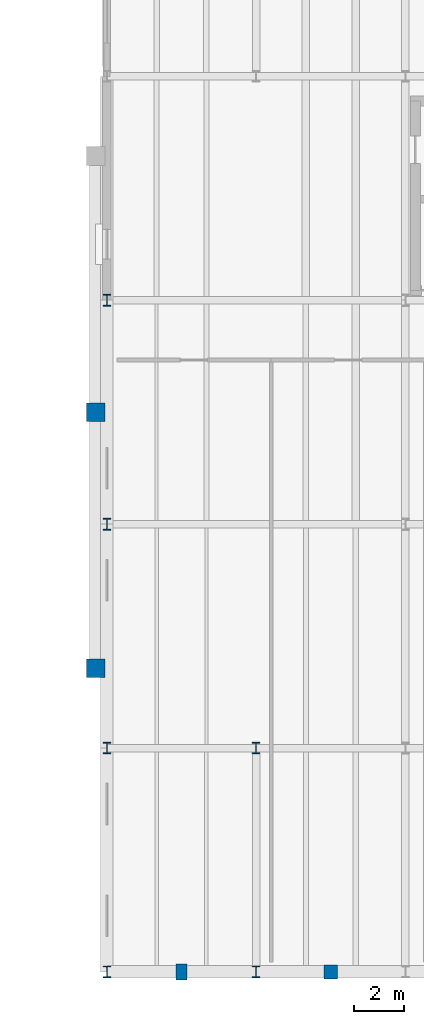
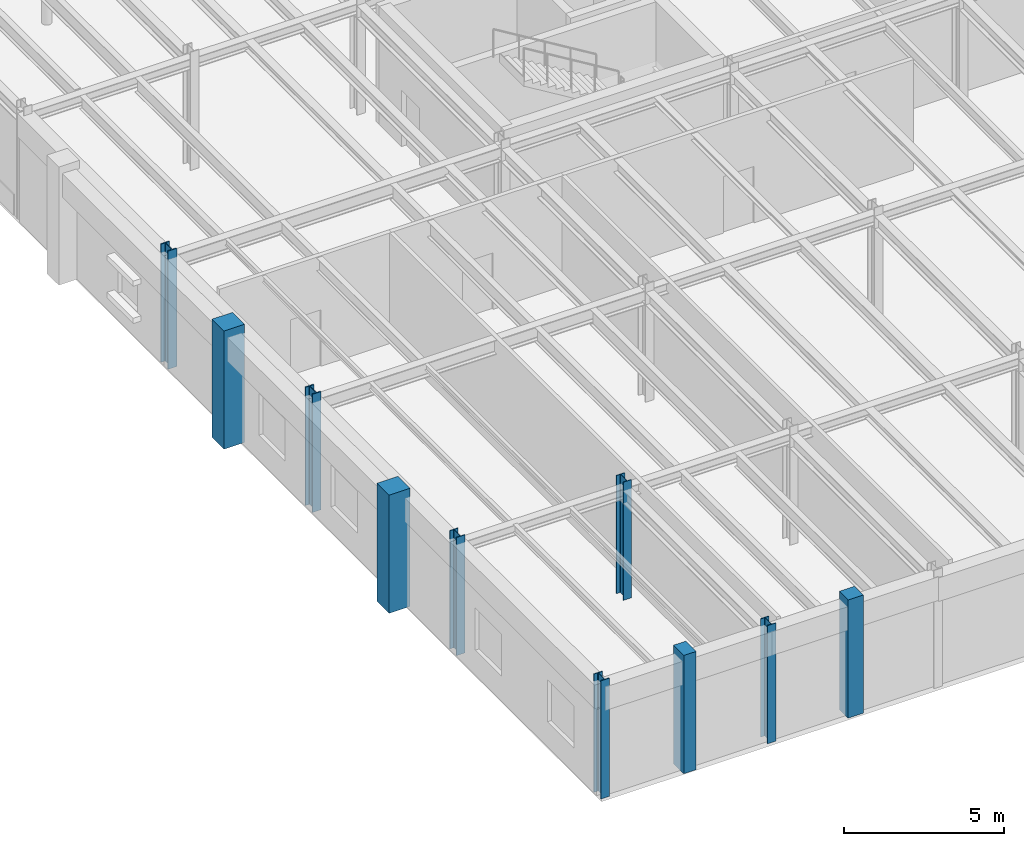
# One storey, part 1 of 64: 10 columns.
"""IFC4 building model written with IfcOpenShell, lengths in metres."""

from ifc_helpers import new_model, si_unit, direction, frame, origin, origin_2d, place, context, subcontext, project, spatial, rectangle, i_section, extrude, material, material_profile, profile_set, type_object, element, save


model = new_model("IFC4")

# Units and contexts
model_context = context("Model", 3, precision=1e-05, world=origin(), true_north=direction((0.0, 1.0)))
body_context = subcontext(model_context, "Body", "Model", "MODEL_VIEW")
ifc_project = project(units=[si_unit("LENGTHUNIT", "METRE"), si_unit("AREAUNIT", "SQUARE_METRE"), si_unit("VOLUMEUNIT", "CUBIC_METRE"), si_unit("PLANEANGLEUNIT", "RADIAN"), si_unit("MASSUNIT", "GRAM", prefix="KILO")], contexts=[model_context])

# Site, building, storey
site_placement = place(None, origin())
site = spatial("IfcSite", under=ifc_project, at=site_placement, CompositionType="ELEMENT")
building_placement = place(site_placement, origin())
building = spatial("IfcBuilding", under=site, at=building_placement, Name="Montealbar Specialist Clinic", CompositionType="ELEMENT")
storey_placement = place(building_placement, frame((0.0, 0.0, 5.10009765625)))
storey = spatial("IfcBuildingStorey", under=building, at=storey_placement, Name="L01", CompositionType="ELEMENT", Elevation=5.10009765625)

# Columns
ifc_material_1 = material(Name="Steel S355", Category="steel")
ifc_material_profile_1 = material_profile(ifc_material_1, i_section(OverallWidth=0.306884765625, OverallDepth=0.47802734375, WebThickness=0.02099609375, FlangeThickness=0.0400390625, FilletRadius=0.027099609375, at=origin_2d()), Name="HEM 450", Category="steel")
ifc_profile_set_1 = profile_set([ifc_material_profile_1], Name="Steel S355")
column_type_1 = type_object("IfcColumnType", Name="COL-S-L01-MEGA-EXT", PredefinedType="COLUMN", material=ifc_profile_set_1)
for number, where, z_axis, x_axis, name in (
    (1, (54.0, 18.0, 0.0), (0.0, 0.0, 1.0), (1.0, 0.0, 0.0), "Column 7/C L01"),
    (2, (54.0, 27.0, 0.0), (0.0, 0.0, 1.0), (1.0, 0.0, 0.0), "Column 7/D L01"),
):
    element("IfcColumn", number, at=place(storey_placement, frame(where, z_axis=z_axis, x_axis=x_axis)), inside=storey, type_object=column_type_1, Name=name, PredefinedType="COLUMN", context=body_context, shape_type="SweptSolid", body=[
        extrude(i_section(OverallWidth=0.306884765625, OverallDepth=0.47802734375, WebThickness=0.02099609375, FlangeThickness=0.0400390625, FilletRadius=0.027099609375, at=origin_2d()), origin(), (0.0, 0.0, 1.0), 4.5),
    ])
ifc_material_profile_2 = material_profile(ifc_material_1, i_section(OverallWidth=0.300048828125, OverallDepth=0.449951171875, WebThickness=0.013916015625, FlangeThickness=0.02587890625, FilletRadius=0.027099609375, at=origin_2d()), Name="HEB 450", Category="steel")
ifc_profile_set_2 = profile_set([ifc_material_profile_2], Name="Steel S355")
column_type_2 = type_object("IfcColumnType", Name="COL-S-L01-STD", PredefinedType="COLUMN", material=ifc_profile_set_2)
column_1_placement = place(storey_placement, frame((60.0, 9.0, 0.0), z_axis=(0.0, 0.0, 1.0), x_axis=(1.0, 0.0, 0.0)))
element("IfcColumn", 3, at=column_1_placement, inside=storey, type_object=column_type_2, Name="Column 8/B L01", PredefinedType="COLUMN", context=body_context, shape_type="SweptSolid", body=[
    extrude(i_section(OverallWidth=0.300048828125, OverallDepth=0.449951171875, WebThickness=0.013916015625, FlangeThickness=0.02587890625, FilletRadius=0.027099609375, at=origin_2d()), origin(), (0.0, 0.0, 1.0), 4.5),
])
ifc_material_profile_3 = material_profile(ifc_material_1, i_section(OverallWidth=0.300048828125, OverallDepth=0.449951171875, WebThickness=0.013916015625, FlangeThickness=0.02587890625, FilletRadius=0.027099609375, at=origin_2d()), Name="HEB 450", Category="steel")
ifc_profile_set_3 = profile_set([ifc_material_profile_3], Name="Steel S355")
column_type_3 = type_object("IfcColumnType", Name="COL-S-L01-STD-EXT", PredefinedType="COLUMN", material=ifc_profile_set_3)
for number, where, z_axis, x_axis, name in (
    (4, (54.0, 0.0, 0.0), (0.0, 0.0, 1.0), (1.0, 0.0, 0.0), "Column 7/A L01"),
    (5, (54.0, 9.0, 0.0), (0.0, 0.0, 1.0), (1.0, 0.0, 0.0), "Column 7/B L01"),
    (6, (60.0, 0.0, 0.0), (0.0, 0.0, 1.0), (1.0, 0.0, 0.0), "Column 8/A L01"),
):
    element("IfcColumn", number, at=place(storey_placement, frame(where, z_axis=z_axis, x_axis=x_axis)), inside=storey, type_object=column_type_3, Name=name, PredefinedType="COLUMN", context=body_context, shape_type="SweptSolid", body=[
        extrude(i_section(OverallWidth=0.300048828125, OverallDepth=0.449951171875, WebThickness=0.013916015625, FlangeThickness=0.02587890625, FilletRadius=0.027099609375, at=origin_2d()), origin(), (0.0, 0.0, 1.0), 4.5),
    ])
ifc_material_2 = material(Name="Guadarrama granite ashlar", Category="masonry")
ifc_material_profile_4 = material_profile(ifc_material_2, rectangle(XDim=0.449951171875, YDim=0.64990234375, at=origin_2d()), Name="GRANITE PILASTER 450x650", Category="masonry")
ifc_profile_set_4 = profile_set([ifc_material_profile_4], Name="Guadarrama granite ashlar")
column_type_4 = type_object("IfcColumnType", Name="PIL-GRANITE-A", PredefinedType="PILASTER", material=ifc_profile_set_4)
column_2_placement = place(storey_placement, frame((57.0, 0.0, 0.0), z_axis=(0.0, 0.0, 1.0), x_axis=(1.0, 0.0, 0.0)))
element("IfcColumn", 7, at=column_2_placement, inside=storey, type_object=column_type_4, Name="Column P1/A L01", PredefinedType="PILASTER", context=body_context, shape_type="SweptSolid", body=[
    extrude(rectangle(XDim=0.449951171875, YDim=0.64990234375, at=origin_2d()), origin(), (0.0, 0.0, 1.0), 4.5),
])
ifc_material_profile_5 = material_profile(ifc_material_2, rectangle(XDim=0.550048828125, YDim=0.550048828125, at=origin_2d()), Name="GRANITE PILASTER 550x550", Category="masonry")
ifc_profile_set_5 = profile_set([ifc_material_profile_5], Name="Guadarrama granite ashlar")
column_type_5 = type_object("IfcColumnType", Name="PIL-GRANITE-B", PredefinedType="PILASTER", material=ifc_profile_set_5)
column_3_placement = place(storey_placement, frame((63.0, 0.0, 0.0), z_axis=(0.0, 0.0, 1.0), x_axis=(1.0, 0.0, 0.0)))
element("IfcColumn", 8, at=column_3_placement, inside=storey, type_object=column_type_5, Name="Column P2/A L01", PredefinedType="PILASTER", context=body_context, shape_type="SweptSolid", body=[
    extrude(rectangle(XDim=0.550048828125, YDim=0.550048828125, at=origin_2d()), origin(), (0.0, 0.0, 1.0), 4.5),
])
ifc_material_profile_6 = material_profile(ifc_material_2, rectangle(XDim=0.75, YDim=0.75, at=origin_2d()), Name="GRANITE PILASTER 750x750", Category="masonry")
ifc_profile_set_6 = profile_set([ifc_material_profile_6], Name="Guadarrama granite ashlar")
column_type_6 = type_object("IfcColumnType", Name="PIL-PM-GIANT-EXT", PredefinedType="PILASTER", material=ifc_profile_set_6)
for number, where, z_axis, x_axis, name in (
    (9, (53.550048828125, 12.199951171875, 0.0), (0.0, 0.0, 1.0), (1.0, 0.0, 0.0), "Column MP1/MC1 L01"),
    (10, (53.550048828125, 22.5, 0.0), (0.0, 0.0, 1.0), (1.0, 0.0, 0.0), "Column MP2/MC2 L01"),
):
    element("IfcColumn", number, at=place(storey_placement, frame(where, z_axis=z_axis, x_axis=x_axis)), inside=storey, type_object=column_type_6, Name=name, PredefinedType="PILASTER", context=body_context, shape_type="SweptSolid", body=[
        extrude(rectangle(XDim=0.75, YDim=0.75, at=origin_2d()), origin(), (0.0, 0.0, 1.0), 4.5),
    ])

save(model, "model.ifc")
